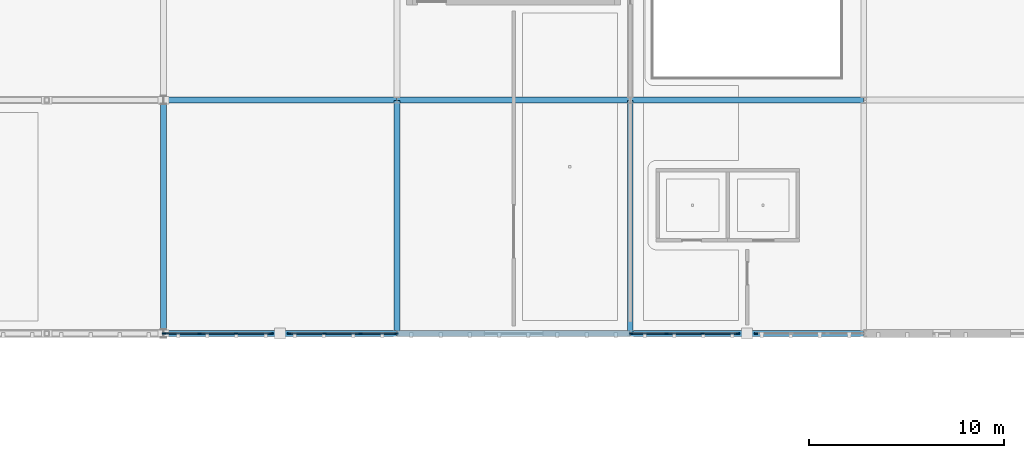
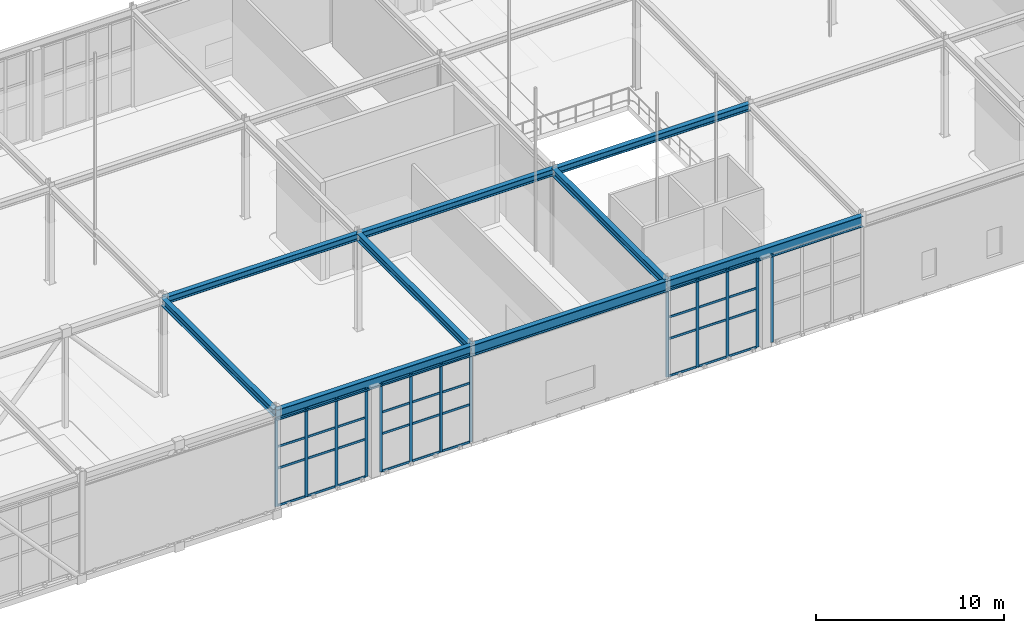
# One storey, part 16 of 62: 49 members, 9 beams, 4 elements without a shape of their own.
"""IFC4 building model written with IfcOpenShell, lengths in metres."""

from ifc_helpers import new_model, si_unit, direction, frame, origin, origin_2d, place, context, subcontext, project, spatial, rectangle, i_section, extrude, material, layer, layer_set, material_profile, profile_set, type_object, element, aggregate, save


model = new_model("IFC4")

# Units and contexts
model_context = context("Model", 3, precision=1e-05, world=origin(), true_north=direction((0.0, 1.0)))
body_context = subcontext(model_context, "Body", "Model", "MODEL_VIEW")
ifc_project = project(units=[si_unit("LENGTHUNIT", "METRE"), si_unit("AREAUNIT", "SQUARE_METRE"), si_unit("VOLUMEUNIT", "CUBIC_METRE"), si_unit("PLANEANGLEUNIT", "RADIAN"), si_unit("MASSUNIT", "GRAM", prefix="KILO")], contexts=[model_context])

# Site, building, storey
site_placement = place(None, origin())
site = spatial("IfcSite", under=ifc_project, at=site_placement, CompositionType="ELEMENT")
building_placement = place(site_placement, origin())
building = spatial("IfcBuilding", under=site, at=building_placement, Name="Zlatogorsky Bluff Art Gallery", CompositionType="ELEMENT")
storey_placement = place(building_placement, frame((0.0, 0.0, 16.800048828125)))
storey = spatial("IfcBuildingStorey", under=building, at=storey_placement, Name="L03", CompositionType="ELEMENT", Elevation=16.800048828125)

# Beams
ifc_material_1 = material(Name="Steel S355", Category="steel")
ifc_material_profile_1 = material_profile(ifc_material_1, i_section(OverallWidth=0.300048828125, OverallDepth=0.699951171875, WebThickness=0.01708984375, FlangeThickness=0.031982421875, FilletRadius=0.027099609375, at=origin_2d()), Name="HEB 700")
ifc_profile_set_1 = profile_set([ifc_material_profile_1], Name="Steel S355")
beam_type_1 = type_object("IfcBeamType", Name="Beam BM-02 HEB 700", PredefinedType="BEAM", material=ifc_profile_set_1)
for number, where, z_axis, x_axis, name in (
    (1, (24.014892578125, 84.0, 5.97998046875), (1.0, 0.0, 0.0), (0.0, 1.0, 0.0), "Primary girder BM-02 L03 C-D/9"),
    (2, (36.014892578125, 84.0, 5.97998046875), (1.0, 0.0, 0.0), (0.0, 1.0, 0.0), "Primary girder BM-02 L03 D-E/9"),
    (3, (48.014892578125, 84.0, 5.97998046875), (1.0, 0.0, 0.0), (0.0, 1.0, 0.0), "Primary girder BM-02 L03 E-F/9"),
):
    element("IfcBeam", number, at=place(storey_placement, frame(where, z_axis=z_axis, x_axis=x_axis)), inside=storey, type_object=beam_type_1, Name=name, PredefinedType="BEAM", context=body_context, shape_type="SweptSolid", body=[
        extrude(i_section(OverallWidth=0.300048828125, OverallDepth=0.699951171875, WebThickness=0.01708984375, FlangeThickness=0.031982421875, FilletRadius=0.027099609375, at=origin_2d()), origin(), (0.0, 0.0, 1.0), 11.97021484375),
    ])
ifc_material_profile_2 = material_profile(ifc_material_1, i_section(OverallWidth=0.300048828125, OverallDepth=0.489990234375, WebThickness=0.011962890625, FlangeThickness=0.02294921875, FilletRadius=0.027099609375, at=origin_2d()), Name="HEA 500")
ifc_profile_set_2 = profile_set([ifc_material_profile_2], Name="Steel S355")
beam_type_2 = type_object("IfcBeamType", Name="Beam BM-07 HEA 500", PredefinedType="BEAM", material=ifc_profile_set_2)
for number, where, z_axis, x_axis, name in (
    (4, (24.0, 84.014892578125, 6.0849609375), (0.0, 1.0, 0.0), (-1.0, 0.0, 0.0), "Primary girder BM-07 L03 C/9-10"),
    (5, (36.0, 84.014892578125, 6.0849609375), (0.0, 1.0, 0.0), (-1.0, 0.0, 0.0), "Primary girder BM-07 L03 D/9-10"),
    (6, (48.0, 84.014892578125, 6.0849609375), (0.0, 1.0, 0.0), (-1.0, 0.0, 0.0), "Primary girder BM-07 L03 E/9-10"),
):
    element("IfcBeam", number, at=place(storey_placement, frame(where, z_axis=z_axis, x_axis=x_axis)), inside=storey, type_object=beam_type_2, Name=name, PredefinedType="BEAM", context=body_context, shape_type="SweptSolid", body=[
        extrude(i_section(OverallWidth=0.300048828125, OverallDepth=0.489990234375, WebThickness=0.011962890625, FlangeThickness=0.02294921875, FilletRadius=0.027099609375, at=origin_2d()), origin(), (0.0, 0.0, 1.0), 11.97021484375),
    ])
ifc_material_profile_3 = material_profile(ifc_material_1, i_section(OverallWidth=0.300048828125, OverallDepth=0.43994140625, WebThickness=0.011474609375, FlangeThickness=0.02099609375, FilletRadius=0.027099609375, at=origin_2d()), Name="HEA 450")
ifc_profile_set_3 = profile_set([ifc_material_profile_3], Name="Steel S355")
beam_type_3 = type_object("IfcBeamType", Name="Beam BM-08 HEA 450", PredefinedType="BEAM", material=ifc_profile_set_3)
for number, where, z_axis, x_axis, name in (
    (7, (24.014892578125, 96.0, 6.10986328125), (1.0, 0.0, 0.0), (0.0, 1.0, 0.0), "Primary girder BM-08 L03 C-D/10"),
    (8, (36.014892578125, 96.0, 6.10986328125), (1.0, 0.0, 0.0), (0.0, 1.0, 0.0), "Primary girder BM-08 L03 D-E/10"),
    (9, (48.014892578125, 96.0, 6.10986328125), (1.0, 0.0, 0.0), (0.0, 1.0, 0.0), "Primary girder BM-08 L03 E-F/10"),
):
    element("IfcBeam", number, at=place(storey_placement, frame(where, z_axis=z_axis, x_axis=x_axis)), inside=storey, type_object=beam_type_3, Name=name, PredefinedType="BEAM", context=body_context, shape_type="SweptSolid", body=[
        extrude(i_section(OverallWidth=0.300048828125, OverallDepth=0.43994140625, WebThickness=0.011474609375, FlangeThickness=0.02099609375, FilletRadius=0.027099609375, at=origin_2d()), origin(), (0.0, 0.0, 1.0), 11.97021484375),
    ])

# Curtain wall, members
ifc_material_2 = material(Name="Anodised Bronze Aluminium and Low-Iron Triple Glazing", Category="aluminium")
ifc_layer = layer(ifc_material_2, 0.219970703125)
ifc_layer_set = layer_set([ifc_layer], Name="Curtain Wall CW-04")
curtain_wall_type = type_object("IfcCurtainWallType", Name="Curtain Wall CW-04", PredefinedType="USERDEFINED", material=ifc_layer_set)
curtain_wall_1_placement = place(storey_placement, origin())
curtain_wall_1 = element("IfcCurtainWall", 10, at=curtain_wall_1_placement, inside=storey, type_object=curtain_wall_type, Name="Unitised curtain wall CW-04 L03 S 2.8-A", ObjectType="CURTAIN WALL", PredefinedType="USERDEFINED")
ifc_material_3 = material(Name="Anodised Bronze Aluminium", Category="aluminium")
ifc_material_profile_4 = material_profile(ifc_material_3, rectangle(XDim=0.06494140625, YDim=0.179931640625, at=origin_2d()), Name="ALU MULLION 65x180")
ifc_profile_set_4 = profile_set([ifc_material_profile_4], Name="Anodised Bronze Aluminium")
member_type_1 = type_object("IfcMemberType", Name="Curtain Mullion ML-01", PredefinedType="MULLION", material=ifc_profile_set_4)
member_1_placement = place(storey_placement, frame((24.032470703125, 84.0, 0.0), z_axis=(0.0, 0.0, 1.0), x_axis=(0.0, 1.0, 0.0)))
member_1 = element("IfcMember", 11, at=member_1_placement, type_object=member_type_1, Name="CW-04 mullion 1", PredefinedType="MULLION", context=body_context, shape_type="SweptSolid", body=[
    extrude(rectangle(XDim=0.06494140625, YDim=0.179931640625, at=origin_2d()), origin(), (0.0, 0.0, 1.0), 5.75),
])
member_2_placement = place(storey_placement, frame((25.860107421875, 84.0, 0.0), z_axis=(0.0, 0.0, 1.0), x_axis=(0.0, 1.0, 0.0)))
member_2 = element("IfcMember", 12, at=member_2_placement, type_object=member_type_1, Name="CW-04 mullion 2", PredefinedType="MULLION", context=body_context, shape_type="SweptSolid", body=[
    extrude(rectangle(XDim=0.06494140625, YDim=0.179931640625, at=origin_2d()), origin(), (0.0, 0.0, 1.0), 5.75),
])
member_3_placement = place(storey_placement, frame((27.719970703125, 84.0, 0.0), z_axis=(0.0, 0.0, 1.0), x_axis=(0.0, 1.0, 0.0)))
member_3 = element("IfcMember", 13, at=member_3_placement, type_object=member_type_1, Name="CW-04 mullion 3", PredefinedType="MULLION", context=body_context, shape_type="SweptSolid", body=[
    extrude(rectangle(XDim=0.06494140625, YDim=0.179931640625, at=origin_2d()), origin(), (0.0, 0.0, 1.0), 5.75),
])
member_4_placement = place(storey_placement, frame((29.547607421875, 84.0, 0.0), z_axis=(0.0, 0.0, 1.0), x_axis=(0.0, 1.0, 0.0)))
member_4 = element("IfcMember", 14, at=member_4_placement, type_object=member_type_1, Name="CW-04 mullion 4", PredefinedType="MULLION", context=body_context, shape_type="SweptSolid", body=[
    extrude(rectangle(XDim=0.06494140625, YDim=0.179931640625, at=origin_2d()), origin(), (0.0, 0.0, 1.0), 5.75),
])

curtain_wall_2_placement = place(storey_placement, origin())
curtain_wall_2 = element("IfcCurtainWall", 15, at=curtain_wall_2_placement, inside=storey, type_object=curtain_wall_type, Name="Unitised curtain wall CW-04 L03 S 2.8-B", ObjectType="CURTAIN WALL", PredefinedType="USERDEFINED")
member_5_placement = place(storey_placement, frame((30.452392578125, 84.0, 0.0), z_axis=(0.0, 0.0, 1.0), x_axis=(0.0, 1.0, 0.0)))
member_5 = element("IfcMember", 16, at=member_5_placement, type_object=member_type_1, Name="CW-04 mullion 1", PredefinedType="MULLION", context=body_context, shape_type="SweptSolid", body=[
    extrude(rectangle(XDim=0.06494140625, YDim=0.179931640625, at=origin_2d()), origin(), (0.0, 0.0, 1.0), 5.75),
])
member_6_placement = place(storey_placement, frame((32.280029296875, 84.0, 0.0), z_axis=(0.0, 0.0, 1.0), x_axis=(0.0, 1.0, 0.0)))
member_6 = element("IfcMember", 17, at=member_6_placement, type_object=member_type_1, Name="CW-04 mullion 2", PredefinedType="MULLION", context=body_context, shape_type="SweptSolid", body=[
    extrude(rectangle(XDim=0.06494140625, YDim=0.179931640625, at=origin_2d()), origin(), (0.0, 0.0, 1.0), 5.75),
])
member_7_placement = place(storey_placement, frame((34.139892578125, 84.0, 0.0), z_axis=(0.0, 0.0, 1.0), x_axis=(0.0, 1.0, 0.0)))
member_7 = element("IfcMember", 18, at=member_7_placement, type_object=member_type_1, Name="CW-04 mullion 3", PredefinedType="MULLION", context=body_context, shape_type="SweptSolid", body=[
    extrude(rectangle(XDim=0.06494140625, YDim=0.179931640625, at=origin_2d()), origin(), (0.0, 0.0, 1.0), 5.75),
])
member_8_placement = place(storey_placement, frame((35.967529296875, 84.0, 0.0), z_axis=(0.0, 0.0, 1.0), x_axis=(0.0, 1.0, 0.0)))
member_8 = element("IfcMember", 19, at=member_8_placement, type_object=member_type_1, Name="CW-04 mullion 4", PredefinedType="MULLION", context=body_context, shape_type="SweptSolid", body=[
    extrude(rectangle(XDim=0.06494140625, YDim=0.179931640625, at=origin_2d()), origin(), (0.0, 0.0, 1.0), 5.75),
])

curtain_wall_3_placement = place(storey_placement, origin())
curtain_wall_3 = element("IfcCurtainWall", 20, at=curtain_wall_3_placement, inside=storey, type_object=curtain_wall_type, Name="Unitised curtain wall CW-04 L03 S 4.8-A", ObjectType="CURTAIN WALL", PredefinedType="USERDEFINED")
member_9_placement = place(storey_placement, frame((48.032470703125, 84.0, 0.0), z_axis=(0.0, 0.0, 1.0), x_axis=(0.0, 1.0, 0.0)))
member_9 = element("IfcMember", 21, at=member_9_placement, type_object=member_type_1, Name="CW-04 mullion 1", PredefinedType="MULLION", context=body_context, shape_type="SweptSolid", body=[
    extrude(rectangle(XDim=0.06494140625, YDim=0.179931640625, at=origin_2d()), origin(), (0.0, 0.0, 1.0), 5.75),
])
member_10_placement = place(storey_placement, frame((49.860107421875, 84.0, 0.0), z_axis=(0.0, 0.0, 1.0), x_axis=(0.0, 1.0, 0.0)))
member_10 = element("IfcMember", 22, at=member_10_placement, type_object=member_type_1, Name="CW-04 mullion 2", PredefinedType="MULLION", context=body_context, shape_type="SweptSolid", body=[
    extrude(rectangle(XDim=0.06494140625, YDim=0.179931640625, at=origin_2d()), origin(), (0.0, 0.0, 1.0), 5.75),
])
member_11_placement = place(storey_placement, frame((51.719970703125, 84.0, 0.0), z_axis=(0.0, 0.0, 1.0), x_axis=(0.0, 1.0, 0.0)))
member_11 = element("IfcMember", 23, at=member_11_placement, type_object=member_type_1, Name="CW-04 mullion 3", PredefinedType="MULLION", context=body_context, shape_type="SweptSolid", body=[
    extrude(rectangle(XDim=0.06494140625, YDim=0.179931640625, at=origin_2d()), origin(), (0.0, 0.0, 1.0), 5.75),
])
member_12_placement = place(storey_placement, frame((53.547607421875, 84.0, 0.0), z_axis=(0.0, 0.0, 1.0), x_axis=(0.0, 1.0, 0.0)))
member_12 = element("IfcMember", 24, at=member_12_placement, type_object=member_type_1, Name="CW-04 mullion 4", PredefinedType="MULLION", context=body_context, shape_type="SweptSolid", body=[
    extrude(rectangle(XDim=0.06494140625, YDim=0.179931640625, at=origin_2d()), origin(), (0.0, 0.0, 1.0), 5.75),
])

# Curtain wall, member
curtain_wall_4_placement = place(storey_placement, origin())
curtain_wall_4 = element("IfcCurtainWall", 25, at=curtain_wall_4_placement, inside=storey, type_object=curtain_wall_type, Name="Unitised curtain wall CW-04 L03 S 4.8-B", ObjectType="CURTAIN WALL", PredefinedType="USERDEFINED")
member_13_placement = place(storey_placement, frame((54.452392578125, 84.0, 0.0), z_axis=(0.0, 0.0, 1.0), x_axis=(0.0, 1.0, 0.0)))
member_13 = element("IfcMember", 26, at=member_13_placement, type_object=member_type_1, Name="CW-04 mullion 1", PredefinedType="MULLION", context=body_context, shape_type="SweptSolid", body=[
    extrude(rectangle(XDim=0.06494140625, YDim=0.179931640625, at=origin_2d()), origin(), (0.0, 0.0, 1.0), 5.75),
])
aggregate(curtain_wall_4, [member_13])

# Member
ifc_material_profile_5 = material_profile(ifc_material_3, rectangle(XDim=0.06494140625, YDim=0.139892578125, at=origin_2d()), Name="ALU TRANSOM 65x140")
ifc_profile_set_5 = profile_set([ifc_material_profile_5], Name="Anodised Bronze Aluminium")
member_type_2 = type_object("IfcMemberType", Name="Curtain Transom TR-01", PredefinedType="USERDEFINED", material=ifc_profile_set_5)
member_14_placement = place(storey_placement, frame((24.06494140625, 84.0, 0.032470703125), z_axis=(1.0, 0.0, 0.0), x_axis=(0.0, 1.0, 0.0)))
member_14 = element("IfcMember", 27, at=member_14_placement, type_object=member_type_2, Name="CW-04 transom 1.1", ObjectType="TRANSOM", PredefinedType="USERDEFINED", context=body_context, shape_type="SweptSolid", body=[
    extrude(rectangle(XDim=0.06494140625, YDim=0.139892578125, at=origin_2d()), origin(), (0.0, 0.0, 1.0), 1.762451171875),
])

member_15_placement = place(storey_placement, frame((24.06494140625, 84.0, 2.449951171875), z_axis=(1.0, 0.0, 0.0), x_axis=(0.0, 1.0, 0.0)))
member_15 = element("IfcMember", 28, at=member_15_placement, type_object=member_type_2, Name="CW-04 transom 1.2", ObjectType="TRANSOM", PredefinedType="USERDEFINED", context=body_context, shape_type="SweptSolid", body=[
    extrude(rectangle(XDim=0.06494140625, YDim=0.139892578125, at=origin_2d()), origin(), (0.0, 0.0, 1.0), 1.762451171875),
])

member_16_placement = place(storey_placement, frame((24.06494140625, 84.0, 3.849853515625), z_axis=(1.0, 0.0, 0.0), x_axis=(0.0, 1.0, 0.0)))
member_16 = element("IfcMember", 29, at=member_16_placement, type_object=member_type_2, Name="CW-04 transom 1.3", ObjectType="TRANSOM", PredefinedType="USERDEFINED", context=body_context, shape_type="SweptSolid", body=[
    extrude(rectangle(XDim=0.06494140625, YDim=0.139892578125, at=origin_2d()), origin(), (0.0, 0.0, 1.0), 1.762451171875),
])

member_17_placement = place(storey_placement, frame((24.06494140625, 84.0, 5.717529296875), z_axis=(1.0, 0.0, 0.0), x_axis=(0.0, 1.0, 0.0)))
member_17 = element("IfcMember", 30, at=member_17_placement, type_object=member_type_2, Name="CW-04 transom 1.4", ObjectType="TRANSOM", PredefinedType="USERDEFINED", context=body_context, shape_type="SweptSolid", body=[
    extrude(rectangle(XDim=0.06494140625, YDim=0.139892578125, at=origin_2d()), origin(), (0.0, 0.0, 1.0), 1.762451171875),
])

member_18_placement = place(storey_placement, frame((25.892578125, 84.0, 0.032470703125), z_axis=(1.0, 0.0, 0.0), x_axis=(0.0, 1.0, 0.0)))
member_18 = element("IfcMember", 31, at=member_18_placement, type_object=member_type_2, Name="CW-04 transom 2.1", ObjectType="TRANSOM", PredefinedType="USERDEFINED", context=body_context, shape_type="SweptSolid", body=[
    extrude(rectangle(XDim=0.06494140625, YDim=0.139892578125, at=origin_2d()), origin(), (0.0, 0.0, 1.0), 1.794921875),
])

member_19_placement = place(storey_placement, frame((25.892578125, 84.0, 2.449951171875), z_axis=(1.0, 0.0, 0.0), x_axis=(0.0, 1.0, 0.0)))
member_19 = element("IfcMember", 32, at=member_19_placement, type_object=member_type_2, Name="CW-04 transom 2.2", ObjectType="TRANSOM", PredefinedType="USERDEFINED", context=body_context, shape_type="SweptSolid", body=[
    extrude(rectangle(XDim=0.06494140625, YDim=0.139892578125, at=origin_2d()), origin(), (0.0, 0.0, 1.0), 1.794921875),
])

member_20_placement = place(storey_placement, frame((25.892578125, 84.0, 3.849853515625), z_axis=(1.0, 0.0, 0.0), x_axis=(0.0, 1.0, 0.0)))
member_20 = element("IfcMember", 33, at=member_20_placement, type_object=member_type_2, Name="CW-04 transom 2.3", ObjectType="TRANSOM", PredefinedType="USERDEFINED", context=body_context, shape_type="SweptSolid", body=[
    extrude(rectangle(XDim=0.06494140625, YDim=0.139892578125, at=origin_2d()), origin(), (0.0, 0.0, 1.0), 1.794921875),
])

member_21_placement = place(storey_placement, frame((25.892578125, 84.0, 5.717529296875), z_axis=(1.0, 0.0, 0.0), x_axis=(0.0, 1.0, 0.0)))
member_21 = element("IfcMember", 34, at=member_21_placement, type_object=member_type_2, Name="CW-04 transom 2.4", ObjectType="TRANSOM", PredefinedType="USERDEFINED", context=body_context, shape_type="SweptSolid", body=[
    extrude(rectangle(XDim=0.06494140625, YDim=0.139892578125, at=origin_2d()), origin(), (0.0, 0.0, 1.0), 1.794921875),
])

member_22_placement = place(storey_placement, frame((27.75244140625, 84.0, 0.032470703125), z_axis=(1.0, 0.0, 0.0), x_axis=(0.0, 1.0, 0.0)))
member_22 = element("IfcMember", 35, at=member_22_placement, type_object=member_type_2, Name="CW-04 transom 3.1", ObjectType="TRANSOM", PredefinedType="USERDEFINED", context=body_context, shape_type="SweptSolid", body=[
    extrude(rectangle(XDim=0.06494140625, YDim=0.139892578125, at=origin_2d()), origin(), (0.0, 0.0, 1.0), 1.762451171875),
])

member_23_placement = place(storey_placement, frame((27.75244140625, 84.0, 2.449951171875), z_axis=(1.0, 0.0, 0.0), x_axis=(0.0, 1.0, 0.0)))
member_23 = element("IfcMember", 36, at=member_23_placement, type_object=member_type_2, Name="CW-04 transom 3.2", ObjectType="TRANSOM", PredefinedType="USERDEFINED", context=body_context, shape_type="SweptSolid", body=[
    extrude(rectangle(XDim=0.06494140625, YDim=0.139892578125, at=origin_2d()), origin(), (0.0, 0.0, 1.0), 1.762451171875),
])

member_24_placement = place(storey_placement, frame((27.75244140625, 84.0, 3.849853515625), z_axis=(1.0, 0.0, 0.0), x_axis=(0.0, 1.0, 0.0)))
member_24 = element("IfcMember", 37, at=member_24_placement, type_object=member_type_2, Name="CW-04 transom 3.3", ObjectType="TRANSOM", PredefinedType="USERDEFINED", context=body_context, shape_type="SweptSolid", body=[
    extrude(rectangle(XDim=0.06494140625, YDim=0.139892578125, at=origin_2d()), origin(), (0.0, 0.0, 1.0), 1.762451171875),
])

member_25_placement = place(storey_placement, frame((27.75244140625, 84.0, 5.717529296875), z_axis=(1.0, 0.0, 0.0), x_axis=(0.0, 1.0, 0.0)))
member_25 = element("IfcMember", 38, at=member_25_placement, type_object=member_type_2, Name="CW-04 transom 3.4", ObjectType="TRANSOM", PredefinedType="USERDEFINED", context=body_context, shape_type="SweptSolid", body=[
    extrude(rectangle(XDim=0.06494140625, YDim=0.139892578125, at=origin_2d()), origin(), (0.0, 0.0, 1.0), 1.762451171875),
])

aggregate(curtain_wall_1, [member_1, member_2, member_3, member_4, member_14, member_15, member_16, member_17, member_18, member_19, member_20, member_21, member_22, member_23, member_24, member_25])

member_26_placement = place(storey_placement, frame((30.485107421875, 84.0, 0.032470703125), z_axis=(1.0, 0.0, 0.0), x_axis=(0.0, 1.0, 0.0)))
member_26 = element("IfcMember", 39, at=member_26_placement, type_object=member_type_2, Name="CW-04 transom 1.1", ObjectType="TRANSOM", PredefinedType="USERDEFINED", context=body_context, shape_type="SweptSolid", body=[
    extrude(rectangle(XDim=0.06494140625, YDim=0.139892578125, at=origin_2d()), origin(), (0.0, 0.0, 1.0), 1.762451171875),
])

member_27_placement = place(storey_placement, frame((30.485107421875, 84.0, 2.449951171875), z_axis=(1.0, 0.0, 0.0), x_axis=(0.0, 1.0, 0.0)))
member_27 = element("IfcMember", 40, at=member_27_placement, type_object=member_type_2, Name="CW-04 transom 1.2", ObjectType="TRANSOM", PredefinedType="USERDEFINED", context=body_context, shape_type="SweptSolid", body=[
    extrude(rectangle(XDim=0.06494140625, YDim=0.139892578125, at=origin_2d()), origin(), (0.0, 0.0, 1.0), 1.762451171875),
])

member_28_placement = place(storey_placement, frame((30.485107421875, 84.0, 3.849853515625), z_axis=(1.0, 0.0, 0.0), x_axis=(0.0, 1.0, 0.0)))
member_28 = element("IfcMember", 41, at=member_28_placement, type_object=member_type_2, Name="CW-04 transom 1.3", ObjectType="TRANSOM", PredefinedType="USERDEFINED", context=body_context, shape_type="SweptSolid", body=[
    extrude(rectangle(XDim=0.06494140625, YDim=0.139892578125, at=origin_2d()), origin(), (0.0, 0.0, 1.0), 1.762451171875),
])

member_29_placement = place(storey_placement, frame((30.485107421875, 84.0, 5.717529296875), z_axis=(1.0, 0.0, 0.0), x_axis=(0.0, 1.0, 0.0)))
member_29 = element("IfcMember", 42, at=member_29_placement, type_object=member_type_2, Name="CW-04 transom 1.4", ObjectType="TRANSOM", PredefinedType="USERDEFINED", context=body_context, shape_type="SweptSolid", body=[
    extrude(rectangle(XDim=0.06494140625, YDim=0.139892578125, at=origin_2d()), origin(), (0.0, 0.0, 1.0), 1.762451171875),
])

member_30_placement = place(storey_placement, frame((32.3125, 84.0, 0.032470703125), z_axis=(1.0, 0.0, 0.0), x_axis=(0.0, 1.0, 0.0)))
member_30 = element("IfcMember", 43, at=member_30_placement, type_object=member_type_2, Name="CW-04 transom 2.1", ObjectType="TRANSOM", PredefinedType="USERDEFINED", context=body_context, shape_type="SweptSolid", body=[
    extrude(rectangle(XDim=0.06494140625, YDim=0.139892578125, at=origin_2d()), origin(), (0.0, 0.0, 1.0), 1.794921875),
])

member_31_placement = place(storey_placement, frame((32.3125, 84.0, 2.449951171875), z_axis=(1.0, 0.0, 0.0), x_axis=(0.0, 1.0, 0.0)))
member_31 = element("IfcMember", 44, at=member_31_placement, type_object=member_type_2, Name="CW-04 transom 2.2", ObjectType="TRANSOM", PredefinedType="USERDEFINED", context=body_context, shape_type="SweptSolid", body=[
    extrude(rectangle(XDim=0.06494140625, YDim=0.139892578125, at=origin_2d()), origin(), (0.0, 0.0, 1.0), 1.794921875),
])

member_32_placement = place(storey_placement, frame((32.3125, 84.0, 3.849853515625), z_axis=(1.0, 0.0, 0.0), x_axis=(0.0, 1.0, 0.0)))
member_32 = element("IfcMember", 45, at=member_32_placement, type_object=member_type_2, Name="CW-04 transom 2.3", ObjectType="TRANSOM", PredefinedType="USERDEFINED", context=body_context, shape_type="SweptSolid", body=[
    extrude(rectangle(XDim=0.06494140625, YDim=0.139892578125, at=origin_2d()), origin(), (0.0, 0.0, 1.0), 1.794921875),
])

member_33_placement = place(storey_placement, frame((32.3125, 84.0, 5.717529296875), z_axis=(1.0, 0.0, 0.0), x_axis=(0.0, 1.0, 0.0)))
member_33 = element("IfcMember", 46, at=member_33_placement, type_object=member_type_2, Name="CW-04 transom 2.4", ObjectType="TRANSOM", PredefinedType="USERDEFINED", context=body_context, shape_type="SweptSolid", body=[
    extrude(rectangle(XDim=0.06494140625, YDim=0.139892578125, at=origin_2d()), origin(), (0.0, 0.0, 1.0), 1.794921875),
])

member_34_placement = place(storey_placement, frame((34.172607421875, 84.0, 0.032470703125), z_axis=(1.0, 0.0, 0.0), x_axis=(0.0, 1.0, 0.0)))
member_34 = element("IfcMember", 47, at=member_34_placement, type_object=member_type_2, Name="CW-04 transom 3.1", ObjectType="TRANSOM", PredefinedType="USERDEFINED", context=body_context, shape_type="SweptSolid", body=[
    extrude(rectangle(XDim=0.06494140625, YDim=0.139892578125, at=origin_2d()), origin(), (0.0, 0.0, 1.0), 1.762451171875),
])

member_35_placement = place(storey_placement, frame((34.172607421875, 84.0, 2.449951171875), z_axis=(1.0, 0.0, 0.0), x_axis=(0.0, 1.0, 0.0)))
member_35 = element("IfcMember", 48, at=member_35_placement, type_object=member_type_2, Name="CW-04 transom 3.2", ObjectType="TRANSOM", PredefinedType="USERDEFINED", context=body_context, shape_type="SweptSolid", body=[
    extrude(rectangle(XDim=0.06494140625, YDim=0.139892578125, at=origin_2d()), origin(), (0.0, 0.0, 1.0), 1.762451171875),
])

member_36_placement = place(storey_placement, frame((34.172607421875, 84.0, 3.849853515625), z_axis=(1.0, 0.0, 0.0), x_axis=(0.0, 1.0, 0.0)))
member_36 = element("IfcMember", 49, at=member_36_placement, type_object=member_type_2, Name="CW-04 transom 3.3", ObjectType="TRANSOM", PredefinedType="USERDEFINED", context=body_context, shape_type="SweptSolid", body=[
    extrude(rectangle(XDim=0.06494140625, YDim=0.139892578125, at=origin_2d()), origin(), (0.0, 0.0, 1.0), 1.762451171875),
])

member_37_placement = place(storey_placement, frame((34.172607421875, 84.0, 5.717529296875), z_axis=(1.0, 0.0, 0.0), x_axis=(0.0, 1.0, 0.0)))
member_37 = element("IfcMember", 50, at=member_37_placement, type_object=member_type_2, Name="CW-04 transom 3.4", ObjectType="TRANSOM", PredefinedType="USERDEFINED", context=body_context, shape_type="SweptSolid", body=[
    extrude(rectangle(XDim=0.06494140625, YDim=0.139892578125, at=origin_2d()), origin(), (0.0, 0.0, 1.0), 1.762451171875),
])

aggregate(curtain_wall_2, [member_5, member_6, member_7, member_8, member_26, member_27, member_28, member_29, member_30, member_31, member_32, member_33, member_34, member_35, member_36, member_37])

member_38_placement = place(storey_placement, frame((48.06494140625, 84.0, 0.032470703125), z_axis=(1.0, 0.0, 0.0), x_axis=(0.0, 1.0, 0.0)))
member_38 = element("IfcMember", 51, at=member_38_placement, type_object=member_type_2, Name="CW-04 transom 1.1", ObjectType="TRANSOM", PredefinedType="USERDEFINED", context=body_context, shape_type="SweptSolid", body=[
    extrude(rectangle(XDim=0.06494140625, YDim=0.139892578125, at=origin_2d()), origin(), (0.0, 0.0, 1.0), 1.762451171875),
])

member_39_placement = place(storey_placement, frame((48.06494140625, 84.0, 2.449951171875), z_axis=(1.0, 0.0, 0.0), x_axis=(0.0, 1.0, 0.0)))
member_39 = element("IfcMember", 52, at=member_39_placement, type_object=member_type_2, Name="CW-04 transom 1.2", ObjectType="TRANSOM", PredefinedType="USERDEFINED", context=body_context, shape_type="SweptSolid", body=[
    extrude(rectangle(XDim=0.06494140625, YDim=0.139892578125, at=origin_2d()), origin(), (0.0, 0.0, 1.0), 1.762451171875),
])

member_40_placement = place(storey_placement, frame((48.06494140625, 84.0, 3.849853515625), z_axis=(1.0, 0.0, 0.0), x_axis=(0.0, 1.0, 0.0)))
member_40 = element("IfcMember", 53, at=member_40_placement, type_object=member_type_2, Name="CW-04 transom 1.3", ObjectType="TRANSOM", PredefinedType="USERDEFINED", context=body_context, shape_type="SweptSolid", body=[
    extrude(rectangle(XDim=0.06494140625, YDim=0.139892578125, at=origin_2d()), origin(), (0.0, 0.0, 1.0), 1.762451171875),
])

member_41_placement = place(storey_placement, frame((48.06494140625, 84.0, 5.717529296875), z_axis=(1.0, 0.0, 0.0), x_axis=(0.0, 1.0, 0.0)))
member_41 = element("IfcMember", 54, at=member_41_placement, type_object=member_type_2, Name="CW-04 transom 1.4", ObjectType="TRANSOM", PredefinedType="USERDEFINED", context=body_context, shape_type="SweptSolid", body=[
    extrude(rectangle(XDim=0.06494140625, YDim=0.139892578125, at=origin_2d()), origin(), (0.0, 0.0, 1.0), 1.762451171875),
])

member_42_placement = place(storey_placement, frame((49.892578125, 84.0, 0.032470703125), z_axis=(1.0, 0.0, 0.0), x_axis=(0.0, 1.0, 0.0)))
member_42 = element("IfcMember", 55, at=member_42_placement, type_object=member_type_2, Name="CW-04 transom 2.1", ObjectType="TRANSOM", PredefinedType="USERDEFINED", context=body_context, shape_type="SweptSolid", body=[
    extrude(rectangle(XDim=0.06494140625, YDim=0.139892578125, at=origin_2d()), origin(), (0.0, 0.0, 1.0), 1.794921875),
])

member_43_placement = place(storey_placement, frame((49.892578125, 84.0, 2.449951171875), z_axis=(1.0, 0.0, 0.0), x_axis=(0.0, 1.0, 0.0)))
member_43 = element("IfcMember", 56, at=member_43_placement, type_object=member_type_2, Name="CW-04 transom 2.2", ObjectType="TRANSOM", PredefinedType="USERDEFINED", context=body_context, shape_type="SweptSolid", body=[
    extrude(rectangle(XDim=0.06494140625, YDim=0.139892578125, at=origin_2d()), origin(), (0.0, 0.0, 1.0), 1.794921875),
])

member_44_placement = place(storey_placement, frame((49.892578125, 84.0, 3.849853515625), z_axis=(1.0, 0.0, 0.0), x_axis=(0.0, 1.0, 0.0)))
member_44 = element("IfcMember", 57, at=member_44_placement, type_object=member_type_2, Name="CW-04 transom 2.3", ObjectType="TRANSOM", PredefinedType="USERDEFINED", context=body_context, shape_type="SweptSolid", body=[
    extrude(rectangle(XDim=0.06494140625, YDim=0.139892578125, at=origin_2d()), origin(), (0.0, 0.0, 1.0), 1.794921875),
])

member_45_placement = place(storey_placement, frame((49.892578125, 84.0, 5.717529296875), z_axis=(1.0, 0.0, 0.0), x_axis=(0.0, 1.0, 0.0)))
member_45 = element("IfcMember", 58, at=member_45_placement, type_object=member_type_2, Name="CW-04 transom 2.4", ObjectType="TRANSOM", PredefinedType="USERDEFINED", context=body_context, shape_type="SweptSolid", body=[
    extrude(rectangle(XDim=0.06494140625, YDim=0.139892578125, at=origin_2d()), origin(), (0.0, 0.0, 1.0), 1.794921875),
])

member_46_placement = place(storey_placement, frame((51.75244140625, 84.0, 0.032470703125), z_axis=(1.0, 0.0, 0.0), x_axis=(0.0, 1.0, 0.0)))
member_46 = element("IfcMember", 59, at=member_46_placement, type_object=member_type_2, Name="CW-04 transom 3.1", ObjectType="TRANSOM", PredefinedType="USERDEFINED", context=body_context, shape_type="SweptSolid", body=[
    extrude(rectangle(XDim=0.06494140625, YDim=0.139892578125, at=origin_2d()), origin(), (0.0, 0.0, 1.0), 1.762451171875),
])

member_47_placement = place(storey_placement, frame((51.75244140625, 84.0, 2.449951171875), z_axis=(1.0, 0.0, 0.0), x_axis=(0.0, 1.0, 0.0)))
member_47 = element("IfcMember", 60, at=member_47_placement, type_object=member_type_2, Name="CW-04 transom 3.2", ObjectType="TRANSOM", PredefinedType="USERDEFINED", context=body_context, shape_type="SweptSolid", body=[
    extrude(rectangle(XDim=0.06494140625, YDim=0.139892578125, at=origin_2d()), origin(), (0.0, 0.0, 1.0), 1.762451171875),
])

member_48_placement = place(storey_placement, frame((51.75244140625, 84.0, 3.849853515625), z_axis=(1.0, 0.0, 0.0), x_axis=(0.0, 1.0, 0.0)))
member_48 = element("IfcMember", 61, at=member_48_placement, type_object=member_type_2, Name="CW-04 transom 3.3", ObjectType="TRANSOM", PredefinedType="USERDEFINED", context=body_context, shape_type="SweptSolid", body=[
    extrude(rectangle(XDim=0.06494140625, YDim=0.139892578125, at=origin_2d()), origin(), (0.0, 0.0, 1.0), 1.762451171875),
])

member_49_placement = place(storey_placement, frame((51.75244140625, 84.0, 5.717529296875), z_axis=(1.0, 0.0, 0.0), x_axis=(0.0, 1.0, 0.0)))
member_49 = element("IfcMember", 62, at=member_49_placement, type_object=member_type_2, Name="CW-04 transom 3.4", ObjectType="TRANSOM", PredefinedType="USERDEFINED", context=body_context, shape_type="SweptSolid", body=[
    extrude(rectangle(XDim=0.06494140625, YDim=0.139892578125, at=origin_2d()), origin(), (0.0, 0.0, 1.0), 1.762451171875),
])

aggregate(curtain_wall_3, [member_9, member_10, member_11, member_12, member_38, member_39, member_40, member_41, member_42, member_43, member_44, member_45, member_46, member_47, member_48, member_49])

save(model, "model.ifc")
